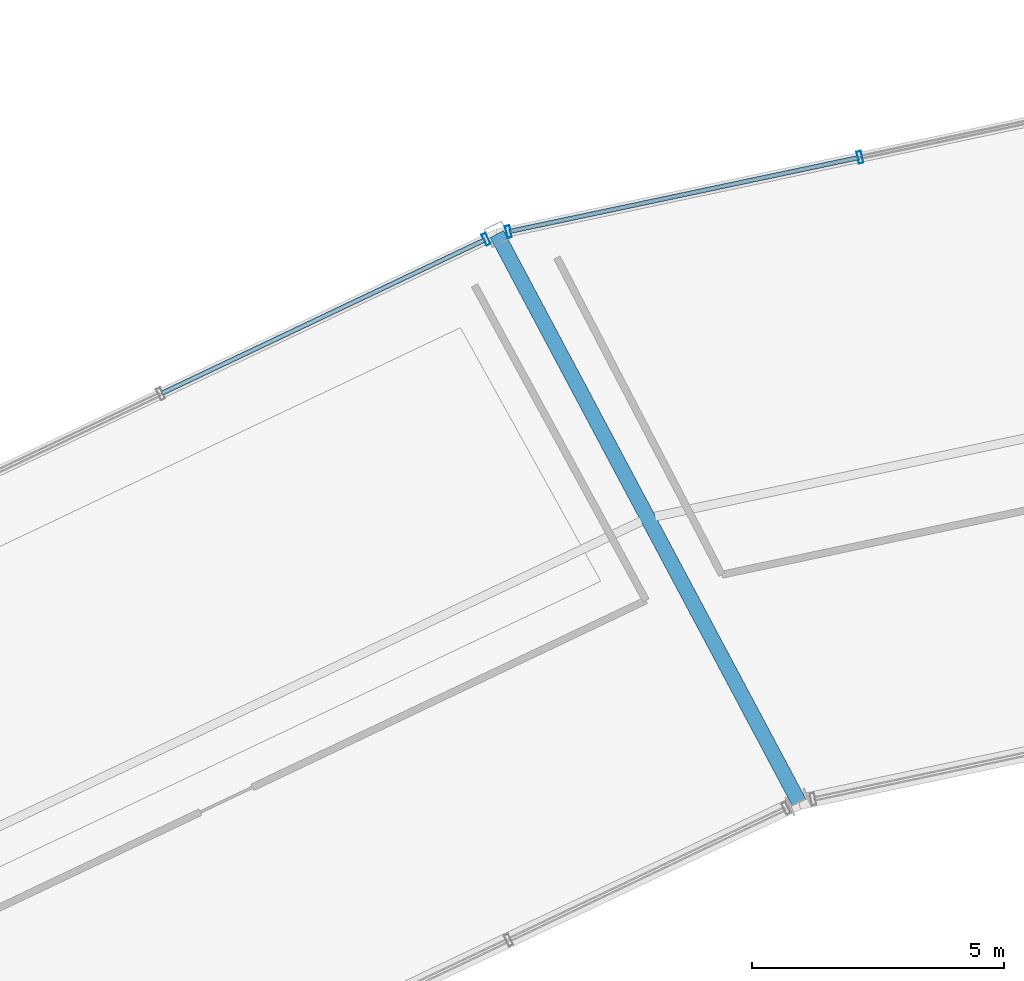
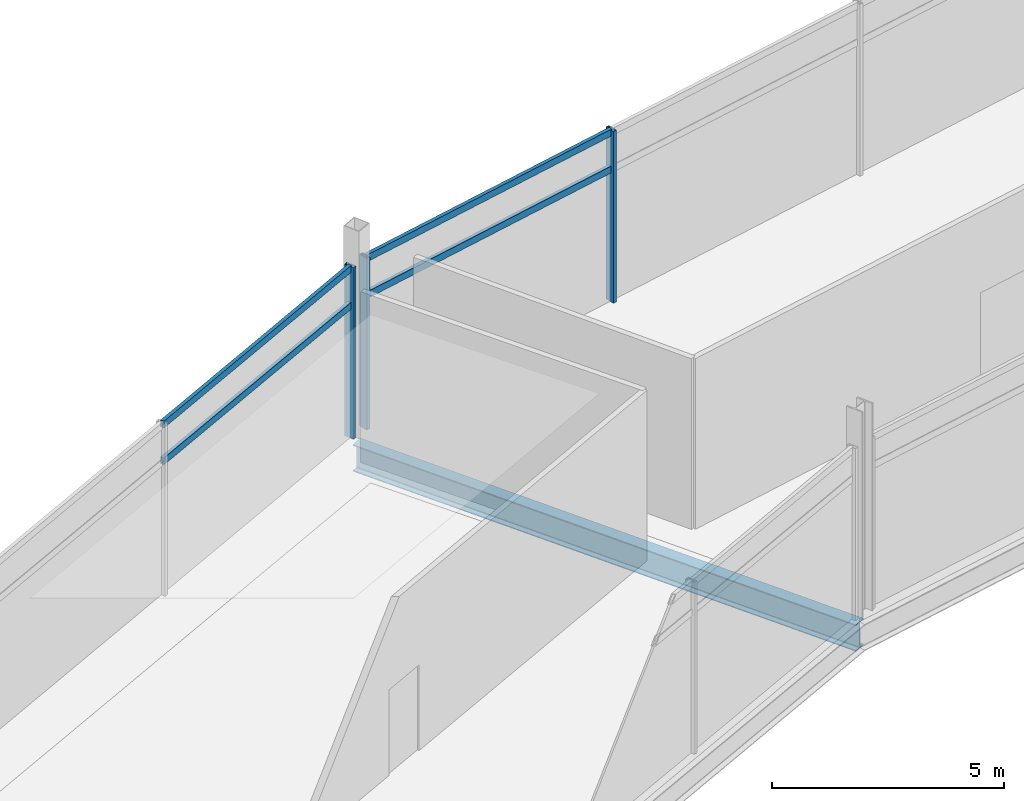
# One storey, part 55 of 86: 7 members, 1 beam, 2 elements without a shape of their own.
"""IFC4 building model written with IfcOpenShell, lengths in metres."""

from ifc_helpers import new_model, si_unit, direction, frame, origin, origin_2d, place, context, subcontext, project, spatial, hollow_rectangle, i_section, extrude, material, layer, layer_set, material_profile, profile_set, type_object, element, aggregate, save


model = new_model("IFC4")

# Units and contexts
model_context = context("Model", 3, precision=1e-05, world=origin(), true_north=direction((0.0, 1.0)))
body_context = subcontext(model_context, "Body", "Model", "MODEL_VIEW")
ifc_project = project(units=[si_unit("LENGTHUNIT", "METRE"), si_unit("AREAUNIT", "SQUARE_METRE"), si_unit("VOLUMEUNIT", "CUBIC_METRE"), si_unit("PLANEANGLEUNIT", "RADIAN"), si_unit("MASSUNIT", "GRAM", prefix="KILO")], contexts=[model_context])

# Site, building, storey
site_placement = place(None, origin())
site = spatial("IfcSite", under=ifc_project, at=site_placement, CompositionType="ELEMENT")
building_placement = place(site_placement, origin())
building = spatial("IfcBuilding", under=site, at=building_placement, Name="Kazemori Nagisa Stadium", CompositionType="ELEMENT")
storey_placement = place(building_placement, frame((0.0, 0.0, 31.280029296875)))
storey = spatial("IfcBuildingStorey", under=building, at=storey_placement, Name="L06", CompositionType="ELEMENT", Elevation=31.280029296875)

# Beam
ifc_material_1 = material(Name="Steel SN490B", Category="steel")
ifc_material_profile_1 = material_profile(ifc_material_1, i_section(OverallWidth=0.300048828125, OverallDepth=0.699951171875, WebThickness=0.012939453125, FlangeThickness=0.02392578125, FilletRadius=0.01806640625, at=origin_2d()), Name="H-700x300x13x24")
ifc_profile_set_1 = profile_set([ifc_material_profile_1], Name="Steel SN490B")
beam_type = type_object("IfcBeamType", Name="Beam_BG-H700", PredefinedType="BEAM", material=ifc_profile_set_1)
beam_placement = place(storey_placement, frame((86.18798828125, 171.19921875, -0.610107421875), z_axis=(-0.469648511848, 0.882853484628, 0.0), x_axis=(-0.882853484628, -0.469648511848, 0.0)))
element("IfcBeam", 1, at=beam_placement, inside=storey, type_object=beam_type, Name="Radial girder BG-H700 L06 R2-R3-10", PredefinedType="BEAM", context=body_context, shape_type="SweptSolid", body=[
    extrude(i_section(OverallWidth=0.300048828125, OverallDepth=0.699951171875, WebThickness=0.012939453125, FlangeThickness=0.02392578125, FilletRadius=0.01806640625, at=origin_2d()), origin(), (0.0, 0.0, 1.0), 12.760009765625),
])

# Curtain wall, members
ifc_material_2 = material(Name="Anodised aluminium 6063-T5", Category="aluminium")
ifc_layer_1 = layer(ifc_material_2, 0.239990234375, Name="Anodised aluminium 6063-T5", Category="aluminium")
ifc_layer_set_1 = layer_set([ifc_layer_1], Name="Anodised aluminium 6063-T5")
curtain_wall_type_1 = type_object("IfcCurtainWallType", Name="CW_L06R3_107", PredefinedType="USERDEFINED", material=ifc_layer_set_1)
curtain_wall_1_placement = place(storey_placement, origin())
curtain_wall_1 = element("IfcCurtainWall", 2, at=curtain_wall_1_placement, inside=storey, type_object=curtain_wall_type_1, Name="Unitised curtain wall CW-L06R3-107 L06", ObjectType="UNITISED CURTAIN WALL", PredefinedType="USERDEFINED")
ifc_material_3 = material(Name="Aluminium 6063-T5 anodised", Category="aluminium")
ifc_material_profile_2 = material_profile(ifc_material_3, hollow_rectangle(XDim=0.090087890625, YDim=0.239990234375, WallThickness=0.0048828125, at=origin_2d()), Name="ALU-MULL-90x240x5")
ifc_profile_set_2 = profile_set([ifc_material_profile_2], Name="Aluminium 6063-T5 anodised")
member_type_1 = type_object("IfcMemberType", Name="Mullion_M03", PredefinedType="MULLION", material=ifc_profile_set_2)
member_1_placement = place(storey_placement, frame((87.397705078125, 183.988037109375, 0.0), z_axis=(0.0, 0.0, 1.0), x_axis=(-0.978344955407, -0.206981033502, 0.0)))
member_1 = element("IfcMember", 3, at=member_1_placement, type_object=member_type_1, Name="Curtain wall mullion CW-L06R3-107-M3", PredefinedType="MULLION", context=body_context, shape_type="SweptSolid", body=[
    extrude(hollow_rectangle(XDim=0.090087890625, YDim=0.239990234375, WallThickness=0.0048828125, at=origin_2d()), origin(), (0.0, 0.0, 1.0), 4.510009765625),
])
member_2_placement = place(storey_placement, frame((80.42529296875, 182.512939453125, 0.0), z_axis=(0.0, 0.0, 1.0), x_axis=(-0.978344955407, -0.206981033502, 0.0)))
member_2 = element("IfcMember", 4, at=member_2_placement, type_object=member_type_1, Name="Curtain wall mullion CW-L06R3-107-M4", PredefinedType="MULLION", context=body_context, shape_type="SweptSolid", body=[
    extrude(hollow_rectangle(XDim=0.090087890625, YDim=0.239990234375, WallThickness=0.0048828125, at=origin_2d()), origin(), (0.0, 0.0, 1.0), 4.510009765625),
])

# Curtain wall, member
ifc_layer_2 = layer(ifc_material_2, 0.239990234375, Name="Anodised aluminium 6063-T5", Category="aluminium")
ifc_layer_set_2 = layer_set([ifc_layer_2], Name="Anodised aluminium 6063-T5")
curtain_wall_type_2 = type_object("IfcCurtainWallType", Name="CW_L06R3_108", PredefinedType="USERDEFINED", material=ifc_layer_set_2)
curtain_wall_2_placement = place(storey_placement, origin())
curtain_wall_2 = element("IfcCurtainWall", 5, at=curtain_wall_2_placement, inside=storey, type_object=curtain_wall_type_2, Name="Unitised curtain wall CW-L06R3-108 L06", ObjectType="UNITISED CURTAIN WALL", PredefinedType="USERDEFINED")
member_3_placement = place(storey_placement, frame((79.98291015625, 182.36328125, 0.0), z_axis=(0.0, 0.0, 1.0), x_axis=(-0.903215892654, -0.429186499388, 0.0)))
member_3 = element("IfcMember", 6, at=member_3_placement, type_object=member_type_1, Name="Curtain wall mullion CW-L06R3-108-M1", PredefinedType="MULLION", context=body_context, shape_type="SweptSolid", body=[
    extrude(hollow_rectangle(XDim=0.090087890625, YDim=0.239990234375, WallThickness=0.0048828125, at=origin_2d()), origin(), (0.0, 0.0, 1.0), 4.510009765625),
])

# Member
ifc_material_profile_3 = material_profile(ifc_material_3, hollow_rectangle(XDim=0.090087890625, YDim=0.179931640625, WallThickness=0.0048828125, at=origin_2d()), Name="ALU-TRAN-90x180x5")
ifc_profile_set_3 = profile_set([ifc_material_profile_3], Name="Aluminium 6063-T5 anodised")
member_type_2 = type_object("IfcMemberType", Name="Transom_T03", PredefinedType="USERDEFINED", material=ifc_profile_set_3)
member_4_placement = place(storey_placement, frame((87.3779296875, 183.98388671875, 3.47265625), z_axis=(-0.978344605267, -0.206982688515, 0.0), x_axis=(0.206982688515, -0.978344605267, 0.0)))
member_4 = element("IfcMember", 7, at=member_4_placement, type_object=member_type_2, Name="Curtain wall transom CW-L06R3-107-T3-mid", ObjectType="TRANSOM", PredefinedType="USERDEFINED", context=body_context, shape_type="SweptSolid", body=[
    extrude(hollow_rectangle(XDim=0.090087890625, YDim=0.179931640625, WallThickness=0.0048828125, at=origin_2d()), origin(), (0.0, 0.0, 1.0), 7.086669921875),
])

member_5_placement = place(storey_placement, frame((87.3779296875, 183.98388671875, 4.43994140625), z_axis=(-0.978344605267, -0.206982688515, 0.0), x_axis=(0.206982688515, -0.978344605267, 0.0)))
member_5 = element("IfcMember", 8, at=member_5_placement, type_object=member_type_2, Name="Curtain wall transom CW-L06R3-107-T3-head", ObjectType="TRANSOM", PredefinedType="USERDEFINED", context=body_context, shape_type="SweptSolid", body=[
    extrude(hollow_rectangle(XDim=0.090087890625, YDim=0.179931640625, WallThickness=0.0048828125, at=origin_2d()), origin(), (0.0, 0.0, 1.0), 7.086669921875),
])

aggregate(curtain_wall_1, [member_1, member_2, member_4, member_5])

member_6_placement = place(storey_placement, frame((79.96484375, 182.354736328125, 3.47265625), z_axis=(-0.903218923673, -0.4291801206, 0.0), x_axis=(0.4291801206, -0.903218923673, 0.0)))
member_6 = element("IfcMember", 9, at=member_6_placement, type_object=member_type_2, Name="Curtain wall transom CW-L06R3-108-T1-mid", ObjectType="TRANSOM", PredefinedType="USERDEFINED", context=body_context, shape_type="SweptSolid", body=[
    extrude(hollow_rectangle(XDim=0.090087890625, YDim=0.179931640625, WallThickness=0.0048828125, at=origin_2d()), origin(), (0.0, 0.0, 1.0), 7.10791015625),
])

member_7_placement = place(storey_placement, frame((79.96484375, 182.354736328125, 4.43994140625), z_axis=(-0.903218923673, -0.4291801206, 0.0), x_axis=(0.4291801206, -0.903218923673, 0.0)))
member_7 = element("IfcMember", 10, at=member_7_placement, type_object=member_type_2, Name="Curtain wall transom CW-L06R3-108-T1-head", ObjectType="TRANSOM", PredefinedType="USERDEFINED", context=body_context, shape_type="SweptSolid", body=[
    extrude(hollow_rectangle(XDim=0.090087890625, YDim=0.179931640625, WallThickness=0.0048828125, at=origin_2d()), origin(), (0.0, 0.0, 1.0), 7.10791015625),
])

aggregate(curtain_wall_2, [member_3, member_6, member_7])

save(model, "model.ifc")
